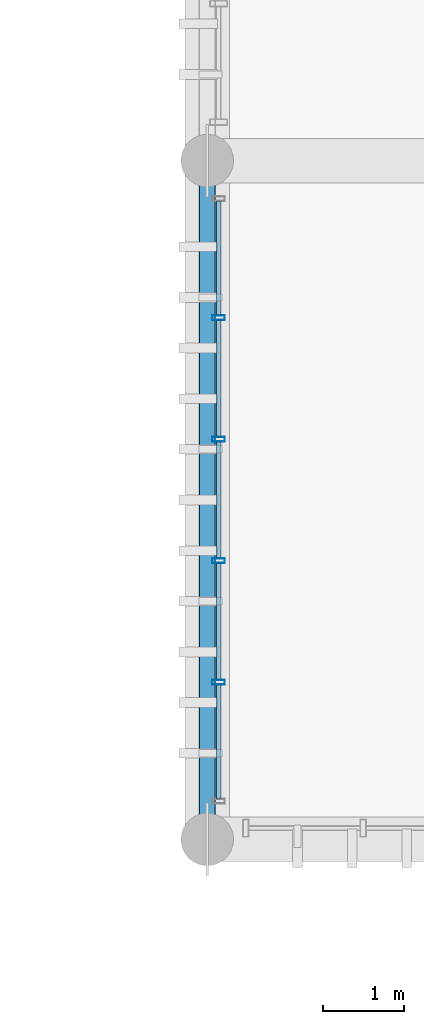
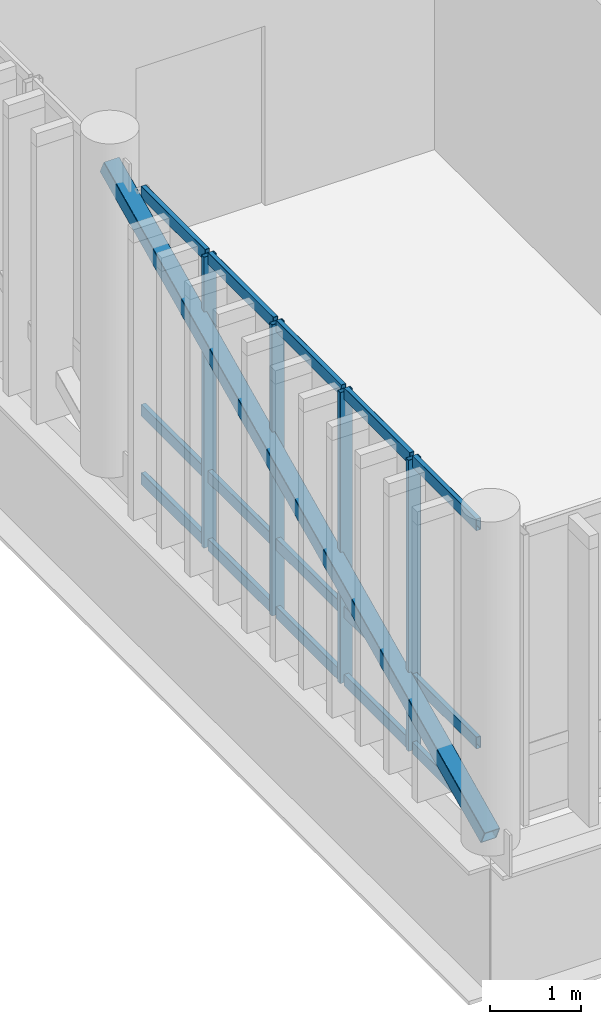
# One storey, part 26 of 53: 20 members, 1 element without a shape of its own.
"""IFC4 building model written with IfcOpenShell, lengths in metres."""

import ifcopenshell
import ifcopenshell.guid

model = None  # the IFC model being written
_history = None  # IfcOwnerHistory: only IFC2X3 demands one
_inside = {}  # id of a spatial element -> (the spatial element, [elements in it])
_under = {}  # id of a project, library or spatial element -> (it, [spatial elements below it])
_declared = {}  # id of a project -> (the project, [libraries it declares])
_typed = {}  # id of a type object -> (the type object, [elements of that type])
_made_of = {}  # id of a material, layer set ... -> (it, [elements and type objects made of it])


def new_model(schema):
    """Start an empty IFC model of exactly this schema.

    Asked for "IFC4X3", IfcOpenShell would pick the latest addendum, in which some entities
    have other attributes; the version numbers below select the first issue.
    IFC2X3 requires an IfcOwnerHistory on every rooted entity: one is made here for all.
    """
    global model, _history
    if schema == "IFC4X3":
        model = ifcopenshell.file(schema_version=(4, 3, 0, 0))
    else:
        model = ifcopenshell.file(schema=schema)
    _inside.clear()
    _under.clear()
    _declared.clear()
    _typed.clear()
    _made_of.clear()
    _history = None
    if model.schema == "IFC2X3":
        org = make("IfcOrganization", Name="unknown")
        user = make(
            "IfcPersonAndOrganization",
            ThePerson=make("IfcPerson", FamilyName="unknown"),
            TheOrganization=org,
        )
        app = make(
            "IfcApplication",
            ApplicationDeveloper=org,
            Version="unknown",
            ApplicationFullName="unknown",
            ApplicationIdentifier="unknown",
        )
        _history = make(
            "IfcOwnerHistory",
            OwningUser=user,
            OwningApplication=app,
            ChangeAction="ADDED",
            CreationDate=0,
        )
    return model


def make(cls, **values):
    """One entity of the class cls with the attributes given. An attribute that is None is left unset."""
    return model.create_entity(
        cls, **{name: value for name, value in values.items() if value is not None}
    )


def rooted(cls, **values):
    """An entity with a GlobalId (a new one), such as an element, a storey or a relation."""
    return make(cls, GlobalId=ifcopenshell.guid.new(), OwnerHistory=_history, **values)


def si_unit(unit_type, name, prefix=None):
    """IfcSIUnit, for example si_unit("LENGTHUNIT", "METRE", prefix="MILLI")."""
    return make("IfcSIUnit", UnitType=unit_type, Prefix=prefix, Name=name)


def assignment(units):
    """IfcUnitAssignment: the units of a project."""
    return None if units is None else make("IfcUnitAssignment", Units=units)


def point(xyz):
    """IfcCartesianPoint."""
    return None if xyz is None else make("IfcCartesianPoint", Coordinates=xyz)


def direction(xyz):
    """IfcDirection."""
    return None if xyz is None else make("IfcDirection", DirectionRatios=xyz)


def frame(location, z_axis=None, x_axis=None):
    """IfcAxis2Placement3D, a coordinate frame: its origin and axes. An axis left out is left unset."""
    return make(
        "IfcAxis2Placement3D",
        Location=point(location),
        Axis=direction(z_axis),
        RefDirection=direction(x_axis),
    )


def frame_2d(location, x_axis=None):
    """IfcAxis2Placement2D, a coordinate frame in the plane: its origin and x axis."""
    return make(
        "IfcAxis2Placement2D", Location=point(location), RefDirection=direction(x_axis)
    )


def origin_with_axes():
    """The frame at (0, 0, 0) with the z axis (0, 0, 1) and the x axis (1, 0, 0) written out."""
    return frame((0.0, 0.0, 0.0), z_axis=(0.0, 0.0, 1.0), x_axis=(1.0, 0.0, 0.0))


def origin_2d_with_axis():
    """The frame at (0, 0) in the plane with the x axis (1, 0) written out."""
    return frame_2d((0.0, 0.0), x_axis=(1.0, 0.0))


def place(relative_to, where):
    """IfcLocalPlacement: puts the frame where relative to a parent placement (None: the world)."""
    return make(
        "IfcLocalPlacement", PlacementRelTo=relative_to, RelativePlacement=where
    )


def context(
    kind, dimensions, precision=None, world=None, true_north=None, identifier=None
):
    """IfcGeometricRepresentationContext, for example the 3D "Model" context."""
    return make(
        "IfcGeometricRepresentationContext",
        ContextIdentifier=identifier,
        ContextType=kind,
        CoordinateSpaceDimension=dimensions,
        Precision=precision,
        WorldCoordinateSystem=world,
        TrueNorth=true_north,
    )


def subcontext(parent, identifier, kind, view, scale=None):
    """IfcGeometricRepresentationSubContext, for example "Body" below "Model"."""
    return make(
        "IfcGeometricRepresentationSubContext",
        ContextIdentifier=identifier,
        ContextType=kind,
        ParentContext=parent,
        TargetScale=scale,
        TargetView=view,
    )


def project(units=None, contexts=None):
    """IfcProject with its units and contexts."""
    return rooted(
        "IfcProject",
        Name="project",
        RepresentationContexts=contexts,
        UnitsInContext=assignment(units),
    )


def spatial(cls, under=None, at=None, **own):
    """A site, building, storey or space (cls), placed at a placement, below another one or the project."""
    s = rooted(cls, ObjectPlacement=at, **own)
    if under is not None:
        _under.setdefault(under.id(), (under, []))[1].append(s)
    return s


def profile(cls, at=None, kind="AREA", **sizes):
    """A parametric profile (cls). Its sizes go by their IFC names, for example OverallWidth=200.0."""
    return make(cls, ProfileType=kind, Position=at, **sizes)


def hollow_rectangle(**sizes):
    """IfcRectangleHollowProfileDef."""
    return profile("IfcRectangleHollowProfileDef", **sizes)


def extrude(swept, where, along, depth):
    """IfcExtrudedAreaSolid: the profile swept, set in the frame where, extruded along a direction by depth."""
    return make(
        "IfcExtrudedAreaSolid",
        SweptArea=swept,
        Position=where,
        ExtrudedDirection=direction(along),
        Depth=depth,
    )


def shape(context_of_items, identifier, shape_type, items):
    """IfcShapeRepresentation: the items that make up one representation, for example the "Body"."""
    return make(
        "IfcShapeRepresentation",
        ContextOfItems=context_of_items,
        RepresentationIdentifier=identifier,
        RepresentationType=shape_type,
        Items=items,
    )


def material(Name=None, Category=None):
    """IfcMaterial."""
    return make("IfcMaterial", Name=Name, Category=Category)


def material_profile(
    of_material, cross_section, Name=None, Category=None, Priority=None
):
    """IfcMaterialProfile: a cross section and its material."""
    return make(
        "IfcMaterialProfile",
        Name=Name,
        Material=of_material,
        Profile=cross_section,
        Priority=Priority,
        Category=Category,
    )


def profile_set(profiles, Name=None, composite=None):
    """IfcMaterialProfileSet."""
    return make(
        "IfcMaterialProfileSet",
        Name=Name,
        MaterialProfiles=profiles,
        CompositeProfile=composite,
    )


def made_of(thing, what):
    """Note that an element or type object is made of a material, layer set ...; save() writes the relation."""
    if what is not None:
        _made_of.setdefault(what.id(), (what, []))[1].append(thing)
    return thing


def type_object(cls, material=None, **own):
    """A type object (cls), such as IfcWallType, which elements share."""
    return made_of(rooted(cls, **own), material)


def element(
    cls,
    number,
    at=None,
    inside=None,
    cuts=None,
    type_object=None,
    material=None,
    context=None,
    identifier="Body",
    shape_type=None,
    held_by="IfcProductDefinitionShape",
    body=None,
    shapes=None,
    **own,
):
    """One element of the class cls, such as IfcWall. Its Tag is "e" and its number.

    at: its placement. inside: the storey or other place that contains it. cuts: it is an
    opening in that element (IfcRelVoidsElement). A single representation is given by context,
    identifier, shape_type and body (its items); several are given by shapes. held_by: the class
    of the entity that holds the representations. save() writes the other relations.
    """
    e = rooted(cls, Tag="e%d" % number, ObjectPlacement=at, **own)
    if body is not None:
        shapes = [shape(context, identifier, shape_type, body)]
    if shapes is not None:
        e.Representation = make(held_by, Representations=shapes)
    if inside is not None:
        _inside.setdefault(inside.id(), (inside, []))[1].append(e)
    if cuts is not None:
        rooted(
            "IfcRelVoidsElement", RelatingBuildingElement=cuts, RelatedOpeningElement=e
        )
    if type_object is not None:
        _typed.setdefault(type_object.id(), (type_object, []))[1].append(e)
    return made_of(e, material)


def aggregate(whole, parts):
    """IfcRelAggregates: a whole, such as a stair, and the parts it consists of."""
    return rooted("IfcRelAggregates", RelatingObject=whole, RelatedObjects=parts)


def save(model, path):
    """Write the relations noted so far, then the file.

    IfcRelAggregates (storeys below a building ...), IfcRelContainedInSpatialStructure (elements
    in a storey), IfcRelDefinesByType, IfcRelAssociatesMaterial and IfcRelDeclares: one each for
    every whole, place, type object, material and project.
    """
    for whole, parts in _under.values():
        aggregate(whole, parts)
    for where, things in _inside.values():
        rooted(
            "IfcRelContainedInSpatialStructure",
            RelatedElements=things,
            RelatingStructure=where,
        )
    for kind, things in _typed.values():
        rooted("IfcRelDefinesByType", RelatedObjects=things, RelatingType=kind)
    for what, things in _made_of.values():
        rooted("IfcRelAssociatesMaterial", RelatedObjects=things, RelatingMaterial=what)
    for by, libraries in _declared.values():
        rooted("IfcRelDeclares", RelatingContext=by, RelatedDefinitions=libraries)
    model.write(path)


model = new_model("IFC4")

# Units and contexts
model_context = context("Model", 3, precision=1e-05, world=origin_with_axes(), true_north=direction((0.0, 1.0)))
body_context = subcontext(model_context, "Body", "Model", "MODEL_VIEW")
ifc_project = project(units=[si_unit("LENGTHUNIT", "METRE"), si_unit("AREAUNIT", "SQUARE_METRE"), si_unit("VOLUMEUNIT", "CUBIC_METRE"), si_unit("PLANEANGLEUNIT", "RADIAN"), si_unit("MASSUNIT", "GRAM", prefix="KILO"), si_unit("THERMODYNAMICTEMPERATUREUNIT", "KELVIN")], contexts=[model_context])

# Site, building, storey
site_placement = place(None, origin_with_axes())
site = spatial("IfcSite", under=ifc_project, at=site_placement, CompositionType="ELEMENT")
building_placement = place(site_placement, origin_with_axes())
building = spatial("IfcBuilding", under=site, at=building_placement, Name="Montbau Bow Law Courts", CompositionType="ELEMENT")
storey_placement = place(building_placement, frame((0.0, 0.0, 39.0), z_axis=(0.0, 0.0, 1.0), x_axis=(1.0, 0.0, 0.0)))
storey = spatial("IfcBuildingStorey", under=building, at=storey_placement, Name="L08", CompositionType="ELEMENT", Elevation=39.0)

# Member
ifc_material_1 = material(Name="Steel CSA G40.21 Grade 350W (350 MPa)", Category="steel")
ifc_material_profile_1 = material_profile(ifc_material_1, hollow_rectangle(XDim=0.203, YDim=0.203, WallThickness=0.0111, InnerFilletRadius=0.0222, OuterFilletRadius=0.0111, at=origin_2d_with_axis()), Name="HSS203X203X11", Category="Main", Priority=0)
ifc_profile_set_1 = profile_set([ifc_material_profile_1], Name="Steel CSA G40.21 Grade 350W (350 MPa)")
member_type_1 = type_object("IfcMemberType", Name="M-BRC-02", PredefinedType="BRACE", material=ifc_profile_set_1)
member_1_placement = place(None, frame((138.6, 86.4, 39.05), z_axis=(0.0, 0.905065175, 0.425272887), x_axis=(-1.0, 0.0, 0.0)))
element("IfcMember", 1, at=member_1_placement, inside=storey, type_object=member_type_1, Name="Diagonal brace CBF-L08-065A", PredefinedType="BRACE", context=body_context, shape_type="SweptSolid", body=[
    extrude(hollow_rectangle(XDim=0.203, YDim=0.203, WallThickness=0.0111, InnerFilletRadius=0.0222, OuterFilletRadius=0.0111, at=origin_2d_with_axis()), origin_with_axes(), (0.0, 0.0, 1.0), 9.2811),
])

# Curtain wall, members
ifc_material_2 = material(Name="Thermally Broken Extruded Aluminium AA 6063-T6", Category="aluminium")
curtain_wall_type = type_object("IfcCurtainWallType", Name="CW-CRM-03", PredefinedType="NOTDEFINED", material=ifc_material_2)
curtain_wall_placement = place(None, frame((138.74, 86.84, 39.0), z_axis=(0.0, 0.0, 1.0), x_axis=(1.0, 0.0, 0.0)))
curtain_wall = element("IfcCurtainWall", 2, at=curtain_wall_placement, inside=storey, type_object=curtain_wall_type, Name="CW-L08-380:cw_0380", PredefinedType="NOTDEFINED")
ifc_material_profile_2 = material_profile(ifc_material_2, hollow_rectangle(XDim=0.06, YDim=0.16, WallThickness=0.004, InnerFilletRadius=0.008, OuterFilletRadius=0.004, at=origin_2d_with_axis()), Name="CWM-160X60", Category="Main", Priority=0)
ifc_profile_set_2 = profile_set([ifc_material_profile_2], Name="Thermally Broken Extruded Aluminium AA 6063-T6")
member_type_2 = type_object("IfcMemberType", Name="M-MUL-03", PredefinedType="MULLION", material=ifc_profile_set_2)
member_2_placement = place(None, frame((138.74, 88.344, 39.0), z_axis=(0.0, 0.0, 1.0), x_axis=(0.0, 1.0, 0.0)))
member_2 = element("IfcMember", 3, at=member_2_placement, type_object=member_type_2, Name="CW-L08-380-M02:cw_0380_M02", PredefinedType="MULLION", context=body_context, shape_type="SweptSolid", body=[
    extrude(hollow_rectangle(XDim=0.06, YDim=0.16, WallThickness=0.004, InnerFilletRadius=0.008, OuterFilletRadius=0.004, at=origin_2d_with_axis()), origin_with_axes(), (0.0, 0.0, 1.0), 3.92),
])
member_3_placement = place(None, frame((138.74, 89.848, 39.0), z_axis=(0.0, 0.0, 1.0), x_axis=(0.0, 1.0, 0.0)))
member_3 = element("IfcMember", 4, at=member_3_placement, type_object=member_type_2, Name="CW-L08-380-M03:cw_0380_M03", PredefinedType="MULLION", context=body_context, shape_type="SweptSolid", body=[
    extrude(hollow_rectangle(XDim=0.06, YDim=0.16, WallThickness=0.004, InnerFilletRadius=0.008, OuterFilletRadius=0.004, at=origin_2d_with_axis()), origin_with_axes(), (0.0, 0.0, 1.0), 3.92),
])
member_4_placement = place(None, frame((138.74, 91.352, 39.0), z_axis=(0.0, 0.0, 1.0), x_axis=(0.0, 1.0, 0.0)))
member_4 = element("IfcMember", 5, at=member_4_placement, type_object=member_type_2, Name="CW-L08-380-M04:cw_0380_M04", PredefinedType="MULLION", context=body_context, shape_type="SweptSolid", body=[
    extrude(hollow_rectangle(XDim=0.06, YDim=0.16, WallThickness=0.004, InnerFilletRadius=0.008, OuterFilletRadius=0.004, at=origin_2d_with_axis()), origin_with_axes(), (0.0, 0.0, 1.0), 3.92),
])
member_5_placement = place(None, frame((138.74, 92.856, 39.0), z_axis=(0.0, 0.0, 1.0), x_axis=(0.0, 1.0, 0.0)))
member_5 = element("IfcMember", 6, at=member_5_placement, type_object=member_type_2, Name="CW-L08-380-M05:cw_0380_M05", PredefinedType="MULLION", context=body_context, shape_type="SweptSolid", body=[
    extrude(hollow_rectangle(XDim=0.06, YDim=0.16, WallThickness=0.004, InnerFilletRadius=0.008, OuterFilletRadius=0.004, at=origin_2d_with_axis()), origin_with_axes(), (0.0, 0.0, 1.0), 3.92),
])
ifc_material_profile_3 = material_profile(ifc_material_2, hollow_rectangle(XDim=0.06, YDim=0.16, WallThickness=0.004, InnerFilletRadius=0.008, OuterFilletRadius=0.004, at=origin_2d_with_axis()), Name="CWT-160X60", Category="Main", Priority=0)
ifc_profile_set_3 = profile_set([ifc_material_profile_3], Name="Thermally Broken Extruded Aluminium AA 6063-T6")
member_type_3 = type_object("IfcMemberType", Name="M-TRN-01", PredefinedType="USERDEFINED", material=ifc_profile_set_3)
member_6_placement = place(None, frame((138.74, 86.902, 39.03), z_axis=(0.0, 1.0, 0.0), x_axis=(-1.0, 0.0, 0.0)))
member_6 = element("IfcMember", 7, at=member_6_placement, type_object=member_type_3, Name="CW-L08-380-T01-1:cw_0380_T01_1", ObjectType="TRANSOM", PredefinedType="USERDEFINED", context=body_context, shape_type="SweptSolid", body=[
    extrude(hollow_rectangle(XDim=0.06, YDim=0.16, WallThickness=0.004, InnerFilletRadius=0.008, OuterFilletRadius=0.004, at=origin_2d_with_axis()), origin_with_axes(), (0.0, 0.0, 1.0), 1.41),
])
member_7_placement = place(None, frame((138.74, 86.902, 39.95), z_axis=(0.0, 1.0, 0.0), x_axis=(-1.0, 0.0, 0.0)))
member_7 = element("IfcMember", 8, at=member_7_placement, type_object=member_type_3, Name="CW-L08-380-T01-2:cw_0380_T01_2", ObjectType="TRANSOM", PredefinedType="USERDEFINED", context=body_context, shape_type="SweptSolid", body=[
    extrude(hollow_rectangle(XDim=0.06, YDim=0.16, WallThickness=0.004, InnerFilletRadius=0.008, OuterFilletRadius=0.004, at=origin_2d_with_axis()), origin_with_axes(), (0.0, 0.0, 1.0), 1.41),
])
member_8_placement = place(None, frame((138.74, 86.902, 42.89), z_axis=(0.0, 1.0, 0.0), x_axis=(-1.0, 0.0, 0.0)))
member_8 = element("IfcMember", 9, at=member_8_placement, type_object=member_type_3, Name="CW-L08-380-T01-3:cw_0380_T01_3", ObjectType="TRANSOM", PredefinedType="USERDEFINED", context=body_context, shape_type="SweptSolid", body=[
    extrude(hollow_rectangle(XDim=0.06, YDim=0.16, WallThickness=0.004, InnerFilletRadius=0.008, OuterFilletRadius=0.004, at=origin_2d_with_axis()), origin_with_axes(), (0.0, 0.0, 1.0), 1.41),
])
member_9_placement = place(None, frame((138.74, 88.376, 39.03), z_axis=(0.0, 1.0, 0.0), x_axis=(-1.0, 0.0, 0.0)))
member_9 = element("IfcMember", 10, at=member_9_placement, type_object=member_type_3, Name="CW-L08-380-T02-1:cw_0380_T02_1", ObjectType="TRANSOM", PredefinedType="USERDEFINED", context=body_context, shape_type="SweptSolid", body=[
    extrude(hollow_rectangle(XDim=0.06, YDim=0.16, WallThickness=0.004, InnerFilletRadius=0.008, OuterFilletRadius=0.004, at=origin_2d_with_axis()), origin_with_axes(), (0.0, 0.0, 1.0), 1.44),
])
member_10_placement = place(None, frame((138.74, 88.376, 39.95), z_axis=(0.0, 1.0, 0.0), x_axis=(-1.0, 0.0, 0.0)))
member_10 = element("IfcMember", 11, at=member_10_placement, type_object=member_type_3, Name="CW-L08-380-T02-2:cw_0380_T02_2", ObjectType="TRANSOM", PredefinedType="USERDEFINED", context=body_context, shape_type="SweptSolid", body=[
    extrude(hollow_rectangle(XDim=0.06, YDim=0.16, WallThickness=0.004, InnerFilletRadius=0.008, OuterFilletRadius=0.004, at=origin_2d_with_axis()), origin_with_axes(), (0.0, 0.0, 1.0), 1.44),
])
member_11_placement = place(None, frame((138.74, 88.376, 42.89), z_axis=(0.0, 1.0, 0.0), x_axis=(-1.0, 0.0, 0.0)))
member_11 = element("IfcMember", 12, at=member_11_placement, type_object=member_type_3, Name="CW-L08-380-T02-3:cw_0380_T02_3", ObjectType="TRANSOM", PredefinedType="USERDEFINED", context=body_context, shape_type="SweptSolid", body=[
    extrude(hollow_rectangle(XDim=0.06, YDim=0.16, WallThickness=0.004, InnerFilletRadius=0.008, OuterFilletRadius=0.004, at=origin_2d_with_axis()), origin_with_axes(), (0.0, 0.0, 1.0), 1.44),
])
member_12_placement = place(None, frame((138.74, 89.88, 39.03), z_axis=(0.0, 1.0, 0.0), x_axis=(-1.0, 0.0, 0.0)))
member_12 = element("IfcMember", 13, at=member_12_placement, type_object=member_type_3, Name="CW-L08-380-T03-1:cw_0380_T03_1", ObjectType="TRANSOM", PredefinedType="USERDEFINED", context=body_context, shape_type="SweptSolid", body=[
    extrude(hollow_rectangle(XDim=0.06, YDim=0.16, WallThickness=0.004, InnerFilletRadius=0.008, OuterFilletRadius=0.004, at=origin_2d_with_axis()), origin_with_axes(), (0.0, 0.0, 1.0), 1.44),
])
member_13_placement = place(None, frame((138.74, 89.88, 39.95), z_axis=(0.0, 1.0, 0.0), x_axis=(-1.0, 0.0, 0.0)))
member_13 = element("IfcMember", 14, at=member_13_placement, type_object=member_type_3, Name="CW-L08-380-T03-2:cw_0380_T03_2", ObjectType="TRANSOM", PredefinedType="USERDEFINED", context=body_context, shape_type="SweptSolid", body=[
    extrude(hollow_rectangle(XDim=0.06, YDim=0.16, WallThickness=0.004, InnerFilletRadius=0.008, OuterFilletRadius=0.004, at=origin_2d_with_axis()), origin_with_axes(), (0.0, 0.0, 1.0), 1.44),
])
member_14_placement = place(None, frame((138.74, 89.88, 42.89), z_axis=(0.0, 1.0, 0.0), x_axis=(-1.0, 0.0, 0.0)))
member_14 = element("IfcMember", 15, at=member_14_placement, type_object=member_type_3, Name="CW-L08-380-T03-3:cw_0380_T03_3", ObjectType="TRANSOM", PredefinedType="USERDEFINED", context=body_context, shape_type="SweptSolid", body=[
    extrude(hollow_rectangle(XDim=0.06, YDim=0.16, WallThickness=0.004, InnerFilletRadius=0.008, OuterFilletRadius=0.004, at=origin_2d_with_axis()), origin_with_axes(), (0.0, 0.0, 1.0), 1.44),
])
member_15_placement = place(None, frame((138.74, 91.384, 39.03), z_axis=(0.0, 1.0, 0.0), x_axis=(-1.0, 0.0, 0.0)))
member_15 = element("IfcMember", 16, at=member_15_placement, type_object=member_type_3, Name="CW-L08-380-T04-1:cw_0380_T04_1", ObjectType="TRANSOM", PredefinedType="USERDEFINED", context=body_context, shape_type="SweptSolid", body=[
    extrude(hollow_rectangle(XDim=0.06, YDim=0.16, WallThickness=0.004, InnerFilletRadius=0.008, OuterFilletRadius=0.004, at=origin_2d_with_axis()), origin_with_axes(), (0.0, 0.0, 1.0), 1.44),
])
member_16_placement = place(None, frame((138.74, 91.384, 39.95), z_axis=(0.0, 1.0, 0.0), x_axis=(-1.0, 0.0, 0.0)))
member_16 = element("IfcMember", 17, at=member_16_placement, type_object=member_type_3, Name="CW-L08-380-T04-2:cw_0380_T04_2", ObjectType="TRANSOM", PredefinedType="USERDEFINED", context=body_context, shape_type="SweptSolid", body=[
    extrude(hollow_rectangle(XDim=0.06, YDim=0.16, WallThickness=0.004, InnerFilletRadius=0.008, OuterFilletRadius=0.004, at=origin_2d_with_axis()), origin_with_axes(), (0.0, 0.0, 1.0), 1.44),
])
member_17_placement = place(None, frame((138.74, 91.384, 42.89), z_axis=(0.0, 1.0, 0.0), x_axis=(-1.0, 0.0, 0.0)))
member_17 = element("IfcMember", 18, at=member_17_placement, type_object=member_type_3, Name="CW-L08-380-T04-3:cw_0380_T04_3", ObjectType="TRANSOM", PredefinedType="USERDEFINED", context=body_context, shape_type="SweptSolid", body=[
    extrude(hollow_rectangle(XDim=0.06, YDim=0.16, WallThickness=0.004, InnerFilletRadius=0.008, OuterFilletRadius=0.004, at=origin_2d_with_axis()), origin_with_axes(), (0.0, 0.0, 1.0), 1.44),
])
member_18_placement = place(None, frame((138.74, 92.888, 39.03), z_axis=(0.0, 1.0, 0.0), x_axis=(-1.0, 0.0, 0.0)))
member_18 = element("IfcMember", 19, at=member_18_placement, type_object=member_type_3, Name="CW-L08-380-T05-1:cw_0380_T05_1", ObjectType="TRANSOM", PredefinedType="USERDEFINED", context=body_context, shape_type="SweptSolid", body=[
    extrude(hollow_rectangle(XDim=0.06, YDim=0.16, WallThickness=0.004, InnerFilletRadius=0.008, OuterFilletRadius=0.004, at=origin_2d_with_axis()), origin_with_axes(), (0.0, 0.0, 1.0), 1.41),
])
member_19_placement = place(None, frame((138.74, 92.888, 39.95), z_axis=(0.0, 1.0, 0.0), x_axis=(-1.0, 0.0, 0.0)))
member_19 = element("IfcMember", 20, at=member_19_placement, type_object=member_type_3, Name="CW-L08-380-T05-2:cw_0380_T05_2", ObjectType="TRANSOM", PredefinedType="USERDEFINED", context=body_context, shape_type="SweptSolid", body=[
    extrude(hollow_rectangle(XDim=0.06, YDim=0.16, WallThickness=0.004, InnerFilletRadius=0.008, OuterFilletRadius=0.004, at=origin_2d_with_axis()), origin_with_axes(), (0.0, 0.0, 1.0), 1.41),
])
member_20_placement = place(None, frame((138.74, 92.888, 42.89), z_axis=(0.0, 1.0, 0.0), x_axis=(-1.0, 0.0, 0.0)))
member_20 = element("IfcMember", 21, at=member_20_placement, type_object=member_type_3, Name="CW-L08-380-T05-3:cw_0380_T05_3", ObjectType="TRANSOM", PredefinedType="USERDEFINED", context=body_context, shape_type="SweptSolid", body=[
    extrude(hollow_rectangle(XDim=0.06, YDim=0.16, WallThickness=0.004, InnerFilletRadius=0.008, OuterFilletRadius=0.004, at=origin_2d_with_axis()), origin_with_axes(), (0.0, 0.0, 1.0), 1.41),
])
aggregate(curtain_wall, [member_2, member_3, member_4, member_5, member_6, member_7, member_8, member_9, member_10, member_11, member_12, member_13, member_14, member_15, member_16, member_17, member_18, member_19, member_20])

save(model, "model.ifc")
